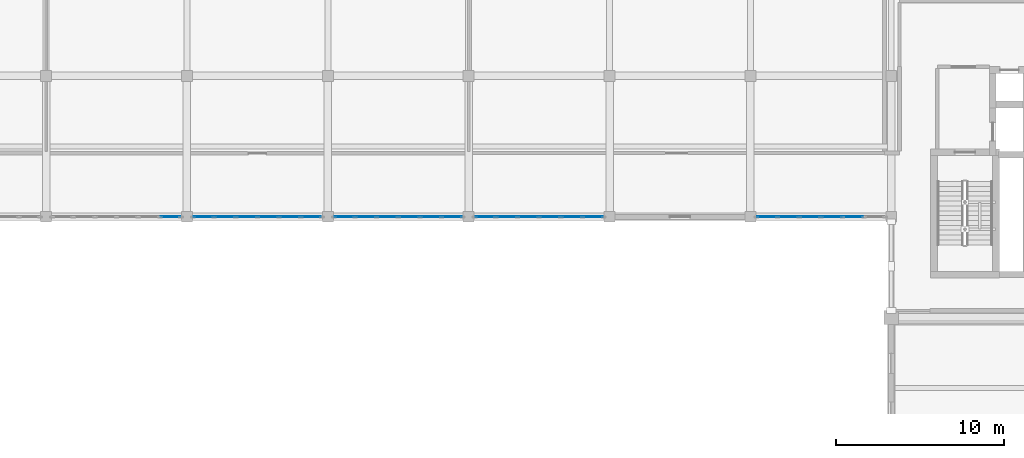
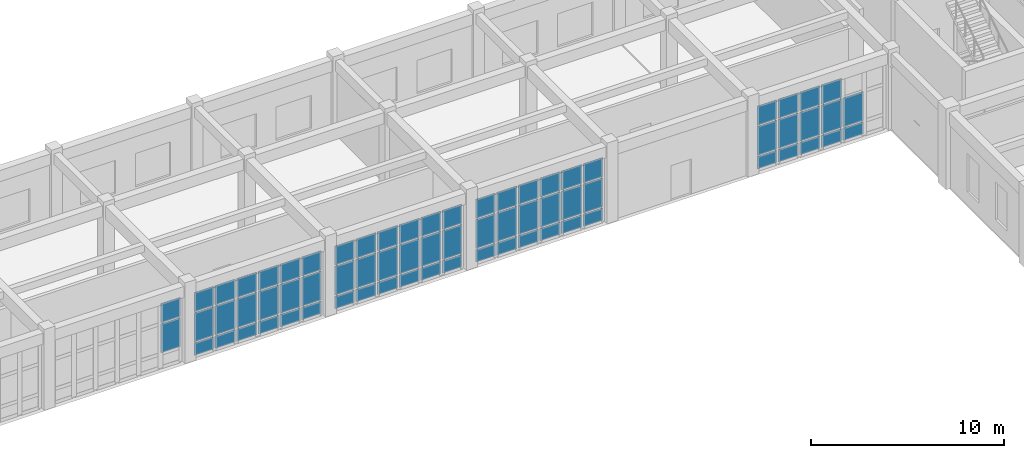
# One storey, part 48 of 80: 70 plates, 5 elements without a shape of their own.
"""IFC4 building model written with IfcOpenShell, lengths in metres."""

from ifc_helpers import new_model, si_unit, direction, frame, origin, origin_2d, place, context, subcontext, project, spatial, rectangle, extrude, material, layer, layer_set, type_object, element, aggregate, save


model = new_model("IFC4")

# Units and contexts
model_context = context("Model", 3, precision=1e-05, world=origin(), true_north=direction((0.0, 1.0)))
body_context = subcontext(model_context, "Body", "Model", "MODEL_VIEW")
ifc_project = project(units=[si_unit("LENGTHUNIT", "METRE"), si_unit("AREAUNIT", "SQUARE_METRE"), si_unit("VOLUMEUNIT", "CUBIC_METRE"), si_unit("PLANEANGLEUNIT", "RADIAN"), si_unit("MASSUNIT", "GRAM", prefix="KILO")], contexts=[model_context])

# Site, building, storey
site_placement = place(None, origin())
site = spatial("IfcSite", under=ifc_project, at=site_placement, CompositionType="ELEMENT")
building_placement = place(site_placement, origin())
building = spatial("IfcBuilding", under=site, at=building_placement, Name="Krzemoval Escarpment Law Courts", CompositionType="ELEMENT")
storey_placement = place(building_placement, origin())
storey = spatial("IfcBuildingStorey", under=building, at=storey_placement, Name="L00", CompositionType="ELEMENT", Elevation=0.0)

# Curtain wall, plates
ifc_material_1 = material(Name="Aluminium 6063-T6", Category="aluminium")
ifc_layer_1 = layer(ifc_material_1, 0.280029296875)
ifc_layer_set_1 = layer_set([ifc_layer_1], Name="Aluminium 6063-T6")
curtain_wall_type = type_object("IfcCurtainWallType", Name="CW-HALL-5100", PredefinedType="USERDEFINED", material=ifc_layer_set_1)
curtain_wall_1_placement = place(storey_placement, origin())
curtain_wall_1 = element("IfcCurtainWall", 1, at=curtain_wall_1_placement, inside=storey, type_object=curtain_wall_type, Name="Unitised Curtain Wall FCW-L00-006", ObjectType="UNITISED_CURTAIN_WALL", PredefinedType="USERDEFINED")
ifc_material_2 = material(Name="Triple Glazing IGU", Category="glass")
ifc_layer_2 = layer(ifc_material_2, 0.053955078125)
ifc_layer_set_2 = layer_set([ifc_layer_2], Name="Triple Glazing IGU")
plate_type = type_object("IfcPlateType", Name="CWP-GLZ-54", PredefinedType="CURTAIN_PANEL", material=ifc_layer_set_2)
plate_1_placement = place(storey_placement, frame((123.737548828125, 99.60009765625, 0.0849609375), z_axis=(0.0, 0.0, 1.0), x_axis=(-1.0, 0.0, 0.0)))
plate_1 = element("IfcPlate", 2, at=plate_1_placement, type_object=plate_type, Name="FCW-L00-006 panel 2.1", PredefinedType="CURTAIN_PANEL", context=body_context, shape_type="SweptSolid", body=[
    extrude(rectangle(XDim=1.206787109375, YDim=0.053955078125, at=origin_2d()), origin(), (0.0, 0.0, 1.0), 0.7724609375),
])
plate_2_placement = place(storey_placement, frame((123.737548828125, 99.60009765625, 0.942626953125), z_axis=(0.0, 0.0, 1.0), x_axis=(-1.0, 0.0, 0.0)))
plate_2 = element("IfcPlate", 3, at=plate_2_placement, type_object=plate_type, Name="FCW-L00-006 panel 2.2", PredefinedType="CURTAIN_PANEL", context=body_context, shape_type="SweptSolid", body=[
    extrude(rectangle(XDim=1.206787109375, YDim=0.053955078125, at=origin_2d()), origin(), (0.0, 0.0, 1.0), 1.81494140625),
])
plate_3_placement = place(storey_placement, frame((122.44580078125, 99.60009765625, 0.0849609375), z_axis=(0.0, 0.0, 1.0), x_axis=(-1.0, 0.0, 0.0)))
plate_3 = element("IfcPlate", 4, at=plate_3_placement, type_object=plate_type, Name="FCW-L00-006 panel 3.1", PredefinedType="CURTAIN_PANEL", context=body_context, shape_type="SweptSolid", body=[
    extrude(rectangle(XDim=1.206787109375, YDim=0.053955078125, at=origin_2d()), origin(), (0.0, 0.0, 1.0), 0.7724609375),
])
plate_4_placement = place(storey_placement, frame((122.44580078125, 99.60009765625, 0.942626953125), z_axis=(0.0, 0.0, 1.0), x_axis=(-1.0, 0.0, 0.0)))
plate_4 = element("IfcPlate", 5, at=plate_4_placement, type_object=plate_type, Name="FCW-L00-006 panel 3.2", PredefinedType="CURTAIN_PANEL", context=body_context, shape_type="SweptSolid", body=[
    extrude(rectangle(XDim=1.206787109375, YDim=0.053955078125, at=origin_2d()), origin(), (0.0, 0.0, 1.0), 1.81494140625),
])
plate_5_placement = place(storey_placement, frame((122.44580078125, 99.60009765625, 2.842529296875), z_axis=(0.0, 0.0, 1.0), x_axis=(-1.0, 0.0, 0.0)))
plate_5 = element("IfcPlate", 6, at=plate_5_placement, type_object=plate_type, Name="FCW-L00-006 panel 3.3", PredefinedType="CURTAIN_PANEL", context=body_context, shape_type="SweptSolid", body=[
    extrude(rectangle(XDim=1.206787109375, YDim=0.053955078125, at=origin_2d()), origin(), (0.0, 0.0, 1.0), 1.1923828125),
])
plate_6_placement = place(storey_placement, frame((121.154052734375, 99.60009765625, 0.0849609375), z_axis=(0.0, 0.0, 1.0), x_axis=(-1.0, 0.0, 0.0)))
plate_6 = element("IfcPlate", 7, at=plate_6_placement, type_object=plate_type, Name="FCW-L00-006 panel 4.1", PredefinedType="CURTAIN_PANEL", context=body_context, shape_type="SweptSolid", body=[
    extrude(rectangle(XDim=1.206787109375, YDim=0.053955078125, at=origin_2d()), origin(), (0.0, 0.0, 1.0), 0.7724609375),
])
plate_7_placement = place(storey_placement, frame((121.154052734375, 99.60009765625, 0.942626953125), z_axis=(0.0, 0.0, 1.0), x_axis=(-1.0, 0.0, 0.0)))
plate_7 = element("IfcPlate", 8, at=plate_7_placement, type_object=plate_type, Name="FCW-L00-006 panel 4.2", PredefinedType="CURTAIN_PANEL", context=body_context, shape_type="SweptSolid", body=[
    extrude(rectangle(XDim=1.206787109375, YDim=0.053955078125, at=origin_2d()), origin(), (0.0, 0.0, 1.0), 1.81494140625),
])
plate_8_placement = place(storey_placement, frame((121.154052734375, 99.60009765625, 2.842529296875), z_axis=(0.0, 0.0, 1.0), x_axis=(-1.0, 0.0, 0.0)))
plate_8 = element("IfcPlate", 9, at=plate_8_placement, type_object=plate_type, Name="FCW-L00-006 panel 4.3", PredefinedType="CURTAIN_PANEL", context=body_context, shape_type="SweptSolid", body=[
    extrude(rectangle(XDim=1.206787109375, YDim=0.053955078125, at=origin_2d()), origin(), (0.0, 0.0, 1.0), 1.1923828125),
])
plate_9_placement = place(storey_placement, frame((119.862548828125, 99.60009765625, 0.0849609375), z_axis=(0.0, 0.0, 1.0), x_axis=(-1.0, 0.0, 0.0)))
plate_9 = element("IfcPlate", 10, at=plate_9_placement, type_object=plate_type, Name="FCW-L00-006 panel 5.1", PredefinedType="CURTAIN_PANEL", context=body_context, shape_type="SweptSolid", body=[
    extrude(rectangle(XDim=1.206787109375, YDim=0.053955078125, at=origin_2d()), origin(), (0.0, 0.0, 1.0), 0.7724609375),
])
plate_10_placement = place(storey_placement, frame((119.862548828125, 99.60009765625, 0.942626953125), z_axis=(0.0, 0.0, 1.0), x_axis=(-1.0, 0.0, 0.0)))
plate_10 = element("IfcPlate", 11, at=plate_10_placement, type_object=plate_type, Name="FCW-L00-006 panel 5.2", PredefinedType="CURTAIN_PANEL", context=body_context, shape_type="SweptSolid", body=[
    extrude(rectangle(XDim=1.206787109375, YDim=0.053955078125, at=origin_2d()), origin(), (0.0, 0.0, 1.0), 1.81494140625),
])
plate_11_placement = place(storey_placement, frame((119.862548828125, 99.60009765625, 2.842529296875), z_axis=(0.0, 0.0, 1.0), x_axis=(-1.0, 0.0, 0.0)))
plate_11 = element("IfcPlate", 12, at=plate_11_placement, type_object=plate_type, Name="FCW-L00-006 panel 5.3", PredefinedType="CURTAIN_PANEL", context=body_context, shape_type="SweptSolid", body=[
    extrude(rectangle(XDim=1.206787109375, YDim=0.053955078125, at=origin_2d()), origin(), (0.0, 0.0, 1.0), 1.1923828125),
])
plate_12_placement = place(storey_placement, frame((118.592041015625, 99.60009765625, 0.0849609375), z_axis=(0.0, 0.0, 1.0), x_axis=(-1.0, 0.0, 0.0)))
plate_12 = element("IfcPlate", 13, at=plate_12_placement, type_object=plate_type, Name="FCW-L00-006 panel 6.1", PredefinedType="CURTAIN_PANEL", context=body_context, shape_type="SweptSolid", body=[
    extrude(rectangle(XDim=1.1640625, YDim=0.053955078125, at=origin_2d()), origin(), (0.0, 0.0, 1.0), 0.7724609375),
])
plate_13_placement = place(storey_placement, frame((118.592041015625, 99.60009765625, 0.942626953125), z_axis=(0.0, 0.0, 1.0), x_axis=(-1.0, 0.0, 0.0)))
plate_13 = element("IfcPlate", 14, at=plate_13_placement, type_object=plate_type, Name="FCW-L00-006 panel 6.2", PredefinedType="CURTAIN_PANEL", context=body_context, shape_type="SweptSolid", body=[
    extrude(rectangle(XDim=1.1640625, YDim=0.053955078125, at=origin_2d()), origin(), (0.0, 0.0, 1.0), 1.81494140625),
])
plate_14_placement = place(storey_placement, frame((118.592041015625, 99.60009765625, 2.842529296875), z_axis=(0.0, 0.0, 1.0), x_axis=(-1.0, 0.0, 0.0)))
plate_14 = element("IfcPlate", 15, at=plate_14_placement, type_object=plate_type, Name="FCW-L00-006 panel 6.3", PredefinedType="CURTAIN_PANEL", context=body_context, shape_type="SweptSolid", body=[
    extrude(rectangle(XDim=1.1640625, YDim=0.053955078125, at=origin_2d()), origin(), (0.0, 0.0, 1.0), 1.1923828125),
])
aggregate(curtain_wall_1, [plate_1, plate_2, plate_3, plate_4, plate_5, plate_6, plate_7, plate_8, plate_9, plate_10, plate_11, plate_12, plate_13, plate_14])

curtain_wall_2_placement = place(storey_placement, origin())
curtain_wall_2 = element("IfcCurtainWall", 16, at=curtain_wall_2_placement, inside=storey, type_object=curtain_wall_type, Name="Unitised Curtain Wall FCW-L00-007", ObjectType="UNITISED_CURTAIN_WALL", PredefinedType="USERDEFINED")
plate_15_placement = place(storey_placement, frame((108.2080078125, 99.60009765625, 0.0849609375), z_axis=(0.0, 0.0, 1.0), x_axis=(-1.0, 0.0, 0.0)))
plate_15 = element("IfcPlate", 17, at=plate_15_placement, type_object=plate_type, Name="FCW-L00-007 panel 1.1", PredefinedType="CURTAIN_PANEL", context=body_context, shape_type="SweptSolid", body=[
    extrude(rectangle(XDim=1.1640625, YDim=0.053955078125, at=origin_2d()), origin(), (0.0, 0.0, 1.0), 0.7724609375),
])
plate_16_placement = place(storey_placement, frame((108.2080078125, 99.60009765625, 0.942626953125), z_axis=(0.0, 0.0, 1.0), x_axis=(-1.0, 0.0, 0.0)))
plate_16 = element("IfcPlate", 18, at=plate_16_placement, type_object=plate_type, Name="FCW-L00-007 panel 1.2", PredefinedType="CURTAIN_PANEL", context=body_context, shape_type="SweptSolid", body=[
    extrude(rectangle(XDim=1.1640625, YDim=0.053955078125, at=origin_2d()), origin(), (0.0, 0.0, 1.0), 1.81494140625),
])
plate_17_placement = place(storey_placement, frame((108.2080078125, 99.60009765625, 2.842529296875), z_axis=(0.0, 0.0, 1.0), x_axis=(-1.0, 0.0, 0.0)))
plate_17 = element("IfcPlate", 19, at=plate_17_placement, type_object=plate_type, Name="FCW-L00-007 panel 1.3", PredefinedType="CURTAIN_PANEL", context=body_context, shape_type="SweptSolid", body=[
    extrude(rectangle(XDim=1.1640625, YDim=0.053955078125, at=origin_2d()), origin(), (0.0, 0.0, 1.0), 1.1923828125),
])
plate_18_placement = place(storey_placement, frame((106.9375, 99.60009765625, 0.0849609375), z_axis=(0.0, 0.0, 1.0), x_axis=(-1.0, 0.0, 0.0)))
plate_18 = element("IfcPlate", 20, at=plate_18_placement, type_object=plate_type, Name="FCW-L00-007 panel 2.1", PredefinedType="CURTAIN_PANEL", context=body_context, shape_type="SweptSolid", body=[
    extrude(rectangle(XDim=1.206787109375, YDim=0.053955078125, at=origin_2d()), origin(), (0.0, 0.0, 1.0), 0.7724609375),
])
plate_19_placement = place(storey_placement, frame((106.9375, 99.60009765625, 0.942626953125), z_axis=(0.0, 0.0, 1.0), x_axis=(-1.0, 0.0, 0.0)))
plate_19 = element("IfcPlate", 21, at=plate_19_placement, type_object=plate_type, Name="FCW-L00-007 panel 2.2", PredefinedType="CURTAIN_PANEL", context=body_context, shape_type="SweptSolid", body=[
    extrude(rectangle(XDim=1.206787109375, YDim=0.053955078125, at=origin_2d()), origin(), (0.0, 0.0, 1.0), 1.81494140625),
])
plate_20_placement = place(storey_placement, frame((106.9375, 99.60009765625, 2.842529296875), z_axis=(0.0, 0.0, 1.0), x_axis=(-1.0, 0.0, 0.0)))
plate_20 = element("IfcPlate", 22, at=plate_20_placement, type_object=plate_type, Name="FCW-L00-007 panel 2.3", PredefinedType="CURTAIN_PANEL", context=body_context, shape_type="SweptSolid", body=[
    extrude(rectangle(XDim=1.206787109375, YDim=0.053955078125, at=origin_2d()), origin(), (0.0, 0.0, 1.0), 1.1923828125),
])
plate_21_placement = place(storey_placement, frame((105.645751953125, 99.60009765625, 0.0849609375), z_axis=(0.0, 0.0, 1.0), x_axis=(-1.0, 0.0, 0.0)))
plate_21 = element("IfcPlate", 23, at=plate_21_placement, type_object=plate_type, Name="FCW-L00-007 panel 3.1", PredefinedType="CURTAIN_PANEL", context=body_context, shape_type="SweptSolid", body=[
    extrude(rectangle(XDim=1.206787109375, YDim=0.053955078125, at=origin_2d()), origin(), (0.0, 0.0, 1.0), 0.7724609375),
])
plate_22_placement = place(storey_placement, frame((105.645751953125, 99.60009765625, 0.942626953125), z_axis=(0.0, 0.0, 1.0), x_axis=(-1.0, 0.0, 0.0)))
plate_22 = element("IfcPlate", 24, at=plate_22_placement, type_object=plate_type, Name="FCW-L00-007 panel 3.2", PredefinedType="CURTAIN_PANEL", context=body_context, shape_type="SweptSolid", body=[
    extrude(rectangle(XDim=1.206787109375, YDim=0.053955078125, at=origin_2d()), origin(), (0.0, 0.0, 1.0), 1.81494140625),
])
plate_23_placement = place(storey_placement, frame((105.645751953125, 99.60009765625, 2.842529296875), z_axis=(0.0, 0.0, 1.0), x_axis=(-1.0, 0.0, 0.0)))
plate_23 = element("IfcPlate", 25, at=plate_23_placement, type_object=plate_type, Name="FCW-L00-007 panel 3.3", PredefinedType="CURTAIN_PANEL", context=body_context, shape_type="SweptSolid", body=[
    extrude(rectangle(XDim=1.206787109375, YDim=0.053955078125, at=origin_2d()), origin(), (0.0, 0.0, 1.0), 1.1923828125),
])
plate_24_placement = place(storey_placement, frame((104.354248046875, 99.60009765625, 0.0849609375), z_axis=(0.0, 0.0, 1.0), x_axis=(-1.0, 0.0, 0.0)))
plate_24 = element("IfcPlate", 26, at=plate_24_placement, type_object=plate_type, Name="FCW-L00-007 panel 4.1", PredefinedType="CURTAIN_PANEL", context=body_context, shape_type="SweptSolid", body=[
    extrude(rectangle(XDim=1.206787109375, YDim=0.053955078125, at=origin_2d()), origin(), (0.0, 0.0, 1.0), 0.7724609375),
])
plate_25_placement = place(storey_placement, frame((104.354248046875, 99.60009765625, 0.942626953125), z_axis=(0.0, 0.0, 1.0), x_axis=(-1.0, 0.0, 0.0)))
plate_25 = element("IfcPlate", 27, at=plate_25_placement, type_object=plate_type, Name="FCW-L00-007 panel 4.2", PredefinedType="CURTAIN_PANEL", context=body_context, shape_type="SweptSolid", body=[
    extrude(rectangle(XDim=1.206787109375, YDim=0.053955078125, at=origin_2d()), origin(), (0.0, 0.0, 1.0), 1.81494140625),
])
plate_26_placement = place(storey_placement, frame((104.354248046875, 99.60009765625, 2.842529296875), z_axis=(0.0, 0.0, 1.0), x_axis=(-1.0, 0.0, 0.0)))
plate_26 = element("IfcPlate", 28, at=plate_26_placement, type_object=plate_type, Name="FCW-L00-007 panel 4.3", PredefinedType="CURTAIN_PANEL", context=body_context, shape_type="SweptSolid", body=[
    extrude(rectangle(XDim=1.206787109375, YDim=0.053955078125, at=origin_2d()), origin(), (0.0, 0.0, 1.0), 1.1923828125),
])
plate_27_placement = place(storey_placement, frame((103.0625, 99.60009765625, 0.0849609375), z_axis=(0.0, 0.0, 1.0), x_axis=(-1.0, 0.0, 0.0)))
plate_27 = element("IfcPlate", 29, at=plate_27_placement, type_object=plate_type, Name="FCW-L00-007 panel 5.1", PredefinedType="CURTAIN_PANEL", context=body_context, shape_type="SweptSolid", body=[
    extrude(rectangle(XDim=1.206787109375, YDim=0.053955078125, at=origin_2d()), origin(), (0.0, 0.0, 1.0), 0.7724609375),
])
plate_28_placement = place(storey_placement, frame((103.0625, 99.60009765625, 0.942626953125), z_axis=(0.0, 0.0, 1.0), x_axis=(-1.0, 0.0, 0.0)))
plate_28 = element("IfcPlate", 30, at=plate_28_placement, type_object=plate_type, Name="FCW-L00-007 panel 5.2", PredefinedType="CURTAIN_PANEL", context=body_context, shape_type="SweptSolid", body=[
    extrude(rectangle(XDim=1.206787109375, YDim=0.053955078125, at=origin_2d()), origin(), (0.0, 0.0, 1.0), 1.81494140625),
])
plate_29_placement = place(storey_placement, frame((103.0625, 99.60009765625, 2.842529296875), z_axis=(0.0, 0.0, 1.0), x_axis=(-1.0, 0.0, 0.0)))
plate_29 = element("IfcPlate", 31, at=plate_29_placement, type_object=plate_type, Name="FCW-L00-007 panel 5.3", PredefinedType="CURTAIN_PANEL", context=body_context, shape_type="SweptSolid", body=[
    extrude(rectangle(XDim=1.206787109375, YDim=0.053955078125, at=origin_2d()), origin(), (0.0, 0.0, 1.0), 1.1923828125),
])
plate_30_placement = place(storey_placement, frame((101.7919921875, 99.60009765625, 0.0849609375), z_axis=(0.0, 0.0, 1.0), x_axis=(-1.0, 0.0, 0.0)))
plate_30 = element("IfcPlate", 32, at=plate_30_placement, type_object=plate_type, Name="FCW-L00-007 panel 6.1", PredefinedType="CURTAIN_PANEL", context=body_context, shape_type="SweptSolid", body=[
    extrude(rectangle(XDim=1.1640625, YDim=0.053955078125, at=origin_2d()), origin(), (0.0, 0.0, 1.0), 0.7724609375),
])
plate_31_placement = place(storey_placement, frame((101.7919921875, 99.60009765625, 0.942626953125), z_axis=(0.0, 0.0, 1.0), x_axis=(-1.0, 0.0, 0.0)))
plate_31 = element("IfcPlate", 33, at=plate_31_placement, type_object=plate_type, Name="FCW-L00-007 panel 6.2", PredefinedType="CURTAIN_PANEL", context=body_context, shape_type="SweptSolid", body=[
    extrude(rectangle(XDim=1.1640625, YDim=0.053955078125, at=origin_2d()), origin(), (0.0, 0.0, 1.0), 1.81494140625),
])
plate_32_placement = place(storey_placement, frame((101.7919921875, 99.60009765625, 2.842529296875), z_axis=(0.0, 0.0, 1.0), x_axis=(-1.0, 0.0, 0.0)))
plate_32 = element("IfcPlate", 34, at=plate_32_placement, type_object=plate_type, Name="FCW-L00-007 panel 6.3", PredefinedType="CURTAIN_PANEL", context=body_context, shape_type="SweptSolid", body=[
    extrude(rectangle(XDim=1.1640625, YDim=0.053955078125, at=origin_2d()), origin(), (0.0, 0.0, 1.0), 1.1923828125),
])
aggregate(curtain_wall_2, [plate_15, plate_16, plate_17, plate_18, plate_19, plate_20, plate_21, plate_22, plate_23, plate_24, plate_25, plate_26, plate_27, plate_28, plate_29, plate_30, plate_31, plate_32])

curtain_wall_3_placement = place(storey_placement, origin())
curtain_wall_3 = element("IfcCurtainWall", 35, at=curtain_wall_3_placement, inside=storey, type_object=curtain_wall_type, Name="Unitised Curtain Wall FCW-L00-008", ObjectType="UNITISED_CURTAIN_WALL", PredefinedType="USERDEFINED")
plate_33_placement = place(storey_placement, frame((99.807861328125, 99.60009765625, 0.0849609375), z_axis=(0.0, 0.0, 1.0), x_axis=(-1.0, 0.0, 0.0)))
plate_33 = element("IfcPlate", 36, at=plate_33_placement, type_object=plate_type, Name="FCW-L00-008 panel 1.1", PredefinedType="CURTAIN_PANEL", context=body_context, shape_type="SweptSolid", body=[
    extrude(rectangle(XDim=1.1640625, YDim=0.053955078125, at=origin_2d()), origin(), (0.0, 0.0, 1.0), 0.7724609375),
])
plate_34_placement = place(storey_placement, frame((99.807861328125, 99.60009765625, 0.942626953125), z_axis=(0.0, 0.0, 1.0), x_axis=(-1.0, 0.0, 0.0)))
plate_34 = element("IfcPlate", 37, at=plate_34_placement, type_object=plate_type, Name="FCW-L00-008 panel 1.2", PredefinedType="CURTAIN_PANEL", context=body_context, shape_type="SweptSolid", body=[
    extrude(rectangle(XDim=1.1640625, YDim=0.053955078125, at=origin_2d()), origin(), (0.0, 0.0, 1.0), 1.81494140625),
])
plate_35_placement = place(storey_placement, frame((99.807861328125, 99.60009765625, 2.842529296875), z_axis=(0.0, 0.0, 1.0), x_axis=(-1.0, 0.0, 0.0)))
plate_35 = element("IfcPlate", 38, at=plate_35_placement, type_object=plate_type, Name="FCW-L00-008 panel 1.3", PredefinedType="CURTAIN_PANEL", context=body_context, shape_type="SweptSolid", body=[
    extrude(rectangle(XDim=1.1640625, YDim=0.053955078125, at=origin_2d()), origin(), (0.0, 0.0, 1.0), 1.1923828125),
])
plate_36_placement = place(storey_placement, frame((98.53759765625, 99.60009765625, 0.0849609375), z_axis=(0.0, 0.0, 1.0), x_axis=(-1.0, 0.0, 0.0)))
plate_36 = element("IfcPlate", 39, at=plate_36_placement, type_object=plate_type, Name="FCW-L00-008 panel 2.1", PredefinedType="CURTAIN_PANEL", context=body_context, shape_type="SweptSolid", body=[
    extrude(rectangle(XDim=1.206787109375, YDim=0.053955078125, at=origin_2d()), origin(), (0.0, 0.0, 1.0), 0.7724609375),
])
plate_37_placement = place(storey_placement, frame((98.53759765625, 99.60009765625, 0.942626953125), z_axis=(0.0, 0.0, 1.0), x_axis=(-1.0, 0.0, 0.0)))
plate_37 = element("IfcPlate", 40, at=plate_37_placement, type_object=plate_type, Name="FCW-L00-008 panel 2.2", PredefinedType="CURTAIN_PANEL", context=body_context, shape_type="SweptSolid", body=[
    extrude(rectangle(XDim=1.206787109375, YDim=0.053955078125, at=origin_2d()), origin(), (0.0, 0.0, 1.0), 1.81494140625),
])
plate_38_placement = place(storey_placement, frame((98.53759765625, 99.60009765625, 2.842529296875), z_axis=(0.0, 0.0, 1.0), x_axis=(-1.0, 0.0, 0.0)))
plate_38 = element("IfcPlate", 41, at=plate_38_placement, type_object=plate_type, Name="FCW-L00-008 panel 2.3", PredefinedType="CURTAIN_PANEL", context=body_context, shape_type="SweptSolid", body=[
    extrude(rectangle(XDim=1.206787109375, YDim=0.053955078125, at=origin_2d()), origin(), (0.0, 0.0, 1.0), 1.1923828125),
])
plate_39_placement = place(storey_placement, frame((97.245849609375, 99.60009765625, 0.0849609375), z_axis=(0.0, 0.0, 1.0), x_axis=(-1.0, 0.0, 0.0)))
plate_39 = element("IfcPlate", 42, at=plate_39_placement, type_object=plate_type, Name="FCW-L00-008 panel 3.1", PredefinedType="CURTAIN_PANEL", context=body_context, shape_type="SweptSolid", body=[
    extrude(rectangle(XDim=1.206787109375, YDim=0.053955078125, at=origin_2d()), origin(), (0.0, 0.0, 1.0), 0.7724609375),
])
plate_40_placement = place(storey_placement, frame((97.245849609375, 99.60009765625, 0.942626953125), z_axis=(0.0, 0.0, 1.0), x_axis=(-1.0, 0.0, 0.0)))
plate_40 = element("IfcPlate", 43, at=plate_40_placement, type_object=plate_type, Name="FCW-L00-008 panel 3.2", PredefinedType="CURTAIN_PANEL", context=body_context, shape_type="SweptSolid", body=[
    extrude(rectangle(XDim=1.206787109375, YDim=0.053955078125, at=origin_2d()), origin(), (0.0, 0.0, 1.0), 1.81494140625),
])
plate_41_placement = place(storey_placement, frame((97.245849609375, 99.60009765625, 2.842529296875), z_axis=(0.0, 0.0, 1.0), x_axis=(-1.0, 0.0, 0.0)))
plate_41 = element("IfcPlate", 44, at=plate_41_placement, type_object=plate_type, Name="FCW-L00-008 panel 3.3", PredefinedType="CURTAIN_PANEL", context=body_context, shape_type="SweptSolid", body=[
    extrude(rectangle(XDim=1.206787109375, YDim=0.053955078125, at=origin_2d()), origin(), (0.0, 0.0, 1.0), 1.1923828125),
])
plate_42_placement = place(storey_placement, frame((95.9541015625, 99.60009765625, 0.0849609375), z_axis=(0.0, 0.0, 1.0), x_axis=(-1.0, 0.0, 0.0)))
plate_42 = element("IfcPlate", 45, at=plate_42_placement, type_object=plate_type, Name="FCW-L00-008 panel 4.1", PredefinedType="CURTAIN_PANEL", context=body_context, shape_type="SweptSolid", body=[
    extrude(rectangle(XDim=1.206787109375, YDim=0.053955078125, at=origin_2d()), origin(), (0.0, 0.0, 1.0), 0.7724609375),
])
plate_43_placement = place(storey_placement, frame((95.9541015625, 99.60009765625, 0.942626953125), z_axis=(0.0, 0.0, 1.0), x_axis=(-1.0, 0.0, 0.0)))
plate_43 = element("IfcPlate", 46, at=plate_43_placement, type_object=plate_type, Name="FCW-L00-008 panel 4.2", PredefinedType="CURTAIN_PANEL", context=body_context, shape_type="SweptSolid", body=[
    extrude(rectangle(XDim=1.206787109375, YDim=0.053955078125, at=origin_2d()), origin(), (0.0, 0.0, 1.0), 1.81494140625),
])
plate_44_placement = place(storey_placement, frame((95.9541015625, 99.60009765625, 2.842529296875), z_axis=(0.0, 0.0, 1.0), x_axis=(-1.0, 0.0, 0.0)))
plate_44 = element("IfcPlate", 47, at=plate_44_placement, type_object=plate_type, Name="FCW-L00-008 panel 4.3", PredefinedType="CURTAIN_PANEL", context=body_context, shape_type="SweptSolid", body=[
    extrude(rectangle(XDim=1.206787109375, YDim=0.053955078125, at=origin_2d()), origin(), (0.0, 0.0, 1.0), 1.1923828125),
])
plate_45_placement = place(storey_placement, frame((94.66259765625, 99.60009765625, 0.0849609375), z_axis=(0.0, 0.0, 1.0), x_axis=(-1.0, 0.0, 0.0)))
plate_45 = element("IfcPlate", 48, at=plate_45_placement, type_object=plate_type, Name="FCW-L00-008 panel 5.1", PredefinedType="CURTAIN_PANEL", context=body_context, shape_type="SweptSolid", body=[
    extrude(rectangle(XDim=1.206787109375, YDim=0.053955078125, at=origin_2d()), origin(), (0.0, 0.0, 1.0), 0.7724609375),
])
plate_46_placement = place(storey_placement, frame((94.66259765625, 99.60009765625, 0.942626953125), z_axis=(0.0, 0.0, 1.0), x_axis=(-1.0, 0.0, 0.0)))
plate_46 = element("IfcPlate", 49, at=plate_46_placement, type_object=plate_type, Name="FCW-L00-008 panel 5.2", PredefinedType="CURTAIN_PANEL", context=body_context, shape_type="SweptSolid", body=[
    extrude(rectangle(XDim=1.206787109375, YDim=0.053955078125, at=origin_2d()), origin(), (0.0, 0.0, 1.0), 1.81494140625),
])
plate_47_placement = place(storey_placement, frame((94.66259765625, 99.60009765625, 2.842529296875), z_axis=(0.0, 0.0, 1.0), x_axis=(-1.0, 0.0, 0.0)))
plate_47 = element("IfcPlate", 50, at=plate_47_placement, type_object=plate_type, Name="FCW-L00-008 panel 5.3", PredefinedType="CURTAIN_PANEL", context=body_context, shape_type="SweptSolid", body=[
    extrude(rectangle(XDim=1.206787109375, YDim=0.053955078125, at=origin_2d()), origin(), (0.0, 0.0, 1.0), 1.1923828125),
])
plate_48_placement = place(storey_placement, frame((93.39208984375, 99.60009765625, 0.0849609375), z_axis=(0.0, 0.0, 1.0), x_axis=(-1.0, 0.0, 0.0)))
plate_48 = element("IfcPlate", 51, at=plate_48_placement, type_object=plate_type, Name="FCW-L00-008 panel 6.1", PredefinedType="CURTAIN_PANEL", context=body_context, shape_type="SweptSolid", body=[
    extrude(rectangle(XDim=1.1640625, YDim=0.053955078125, at=origin_2d()), origin(), (0.0, 0.0, 1.0), 0.7724609375),
])
plate_49_placement = place(storey_placement, frame((93.39208984375, 99.60009765625, 0.942626953125), z_axis=(0.0, 0.0, 1.0), x_axis=(-1.0, 0.0, 0.0)))
plate_49 = element("IfcPlate", 52, at=plate_49_placement, type_object=plate_type, Name="FCW-L00-008 panel 6.2", PredefinedType="CURTAIN_PANEL", context=body_context, shape_type="SweptSolid", body=[
    extrude(rectangle(XDim=1.1640625, YDim=0.053955078125, at=origin_2d()), origin(), (0.0, 0.0, 1.0), 1.81494140625),
])
plate_50_placement = place(storey_placement, frame((93.39208984375, 99.60009765625, 2.842529296875), z_axis=(0.0, 0.0, 1.0), x_axis=(-1.0, 0.0, 0.0)))
plate_50 = element("IfcPlate", 53, at=plate_50_placement, type_object=plate_type, Name="FCW-L00-008 panel 6.3", PredefinedType="CURTAIN_PANEL", context=body_context, shape_type="SweptSolid", body=[
    extrude(rectangle(XDim=1.1640625, YDim=0.053955078125, at=origin_2d()), origin(), (0.0, 0.0, 1.0), 1.1923828125),
])
aggregate(curtain_wall_3, [plate_33, plate_34, plate_35, plate_36, plate_37, plate_38, plate_39, plate_40, plate_41, plate_42, plate_43, plate_44, plate_45, plate_46, plate_47, plate_48, plate_49, plate_50])

curtain_wall_4_placement = place(storey_placement, origin())
curtain_wall_4 = element("IfcCurtainWall", 54, at=curtain_wall_4_placement, inside=storey, type_object=curtain_wall_type, Name="Unitised Curtain Wall FCW-L00-009", ObjectType="UNITISED_CURTAIN_WALL", PredefinedType="USERDEFINED")
plate_51_placement = place(storey_placement, frame((91.407958984375, 99.60009765625, 0.0849609375), z_axis=(0.0, 0.0, 1.0), x_axis=(-1.0, 0.0, 0.0)))
plate_51 = element("IfcPlate", 55, at=plate_51_placement, type_object=plate_type, Name="FCW-L00-009 panel 1.1", PredefinedType="CURTAIN_PANEL", context=body_context, shape_type="SweptSolid", body=[
    extrude(rectangle(XDim=1.1640625, YDim=0.053955078125, at=origin_2d()), origin(), (0.0, 0.0, 1.0), 0.7724609375),
])
plate_52_placement = place(storey_placement, frame((91.407958984375, 99.60009765625, 0.942626953125), z_axis=(0.0, 0.0, 1.0), x_axis=(-1.0, 0.0, 0.0)))
plate_52 = element("IfcPlate", 56, at=plate_52_placement, type_object=plate_type, Name="FCW-L00-009 panel 1.2", PredefinedType="CURTAIN_PANEL", context=body_context, shape_type="SweptSolid", body=[
    extrude(rectangle(XDim=1.1640625, YDim=0.053955078125, at=origin_2d()), origin(), (0.0, 0.0, 1.0), 1.81494140625),
])
plate_53_placement = place(storey_placement, frame((91.407958984375, 99.60009765625, 2.842529296875), z_axis=(0.0, 0.0, 1.0), x_axis=(-1.0, 0.0, 0.0)))
plate_53 = element("IfcPlate", 57, at=plate_53_placement, type_object=plate_type, Name="FCW-L00-009 panel 1.3", PredefinedType="CURTAIN_PANEL", context=body_context, shape_type="SweptSolid", body=[
    extrude(rectangle(XDim=1.1640625, YDim=0.053955078125, at=origin_2d()), origin(), (0.0, 0.0, 1.0), 1.1923828125),
])
plate_54_placement = place(storey_placement, frame((90.137451171875, 99.60009765625, 0.0849609375), z_axis=(0.0, 0.0, 1.0), x_axis=(-1.0, 0.0, 0.0)))
plate_54 = element("IfcPlate", 58, at=plate_54_placement, type_object=plate_type, Name="FCW-L00-009 panel 2.1", PredefinedType="CURTAIN_PANEL", context=body_context, shape_type="SweptSolid", body=[
    extrude(rectangle(XDim=1.206787109375, YDim=0.053955078125, at=origin_2d()), origin(), (0.0, 0.0, 1.0), 0.7724609375),
])
plate_55_placement = place(storey_placement, frame((90.137451171875, 99.60009765625, 0.942626953125), z_axis=(0.0, 0.0, 1.0), x_axis=(-1.0, 0.0, 0.0)))
plate_55 = element("IfcPlate", 59, at=plate_55_placement, type_object=plate_type, Name="FCW-L00-009 panel 2.2", PredefinedType="CURTAIN_PANEL", context=body_context, shape_type="SweptSolid", body=[
    extrude(rectangle(XDim=1.206787109375, YDim=0.053955078125, at=origin_2d()), origin(), (0.0, 0.0, 1.0), 1.81494140625),
])
plate_56_placement = place(storey_placement, frame((90.137451171875, 99.60009765625, 2.842529296875), z_axis=(0.0, 0.0, 1.0), x_axis=(-1.0, 0.0, 0.0)))
plate_56 = element("IfcPlate", 60, at=plate_56_placement, type_object=plate_type, Name="FCW-L00-009 panel 2.3", PredefinedType="CURTAIN_PANEL", context=body_context, shape_type="SweptSolid", body=[
    extrude(rectangle(XDim=1.206787109375, YDim=0.053955078125, at=origin_2d()), origin(), (0.0, 0.0, 1.0), 1.1923828125),
])
plate_57_placement = place(storey_placement, frame((88.845947265625, 99.60009765625, 0.0849609375), z_axis=(0.0, 0.0, 1.0), x_axis=(-1.0, 0.0, 0.0)))
plate_57 = element("IfcPlate", 61, at=plate_57_placement, type_object=plate_type, Name="FCW-L00-009 panel 3.1", PredefinedType="CURTAIN_PANEL", context=body_context, shape_type="SweptSolid", body=[
    extrude(rectangle(XDim=1.206787109375, YDim=0.053955078125, at=origin_2d()), origin(), (0.0, 0.0, 1.0), 0.7724609375),
])
plate_58_placement = place(storey_placement, frame((88.845947265625, 99.60009765625, 0.942626953125), z_axis=(0.0, 0.0, 1.0), x_axis=(-1.0, 0.0, 0.0)))
plate_58 = element("IfcPlate", 62, at=plate_58_placement, type_object=plate_type, Name="FCW-L00-009 panel 3.2", PredefinedType="CURTAIN_PANEL", context=body_context, shape_type="SweptSolid", body=[
    extrude(rectangle(XDim=1.206787109375, YDim=0.053955078125, at=origin_2d()), origin(), (0.0, 0.0, 1.0), 1.81494140625),
])
plate_59_placement = place(storey_placement, frame((88.845947265625, 99.60009765625, 2.842529296875), z_axis=(0.0, 0.0, 1.0), x_axis=(-1.0, 0.0, 0.0)))
plate_59 = element("IfcPlate", 63, at=plate_59_placement, type_object=plate_type, Name="FCW-L00-009 panel 3.3", PredefinedType="CURTAIN_PANEL", context=body_context, shape_type="SweptSolid", body=[
    extrude(rectangle(XDim=1.206787109375, YDim=0.053955078125, at=origin_2d()), origin(), (0.0, 0.0, 1.0), 1.1923828125),
])
plate_60_placement = place(storey_placement, frame((87.55419921875, 99.60009765625, 0.0849609375), z_axis=(0.0, 0.0, 1.0), x_axis=(-1.0, 0.0, 0.0)))
plate_60 = element("IfcPlate", 64, at=plate_60_placement, type_object=plate_type, Name="FCW-L00-009 panel 4.1", PredefinedType="CURTAIN_PANEL", context=body_context, shape_type="SweptSolid", body=[
    extrude(rectangle(XDim=1.206787109375, YDim=0.053955078125, at=origin_2d()), origin(), (0.0, 0.0, 1.0), 0.7724609375),
])
plate_61_placement = place(storey_placement, frame((87.55419921875, 99.60009765625, 0.942626953125), z_axis=(0.0, 0.0, 1.0), x_axis=(-1.0, 0.0, 0.0)))
plate_61 = element("IfcPlate", 65, at=plate_61_placement, type_object=plate_type, Name="FCW-L00-009 panel 4.2", PredefinedType="CURTAIN_PANEL", context=body_context, shape_type="SweptSolid", body=[
    extrude(rectangle(XDim=1.206787109375, YDim=0.053955078125, at=origin_2d()), origin(), (0.0, 0.0, 1.0), 1.81494140625),
])
plate_62_placement = place(storey_placement, frame((87.55419921875, 99.60009765625, 2.842529296875), z_axis=(0.0, 0.0, 1.0), x_axis=(-1.0, 0.0, 0.0)))
plate_62 = element("IfcPlate", 66, at=plate_62_placement, type_object=plate_type, Name="FCW-L00-009 panel 4.3", PredefinedType="CURTAIN_PANEL", context=body_context, shape_type="SweptSolid", body=[
    extrude(rectangle(XDim=1.206787109375, YDim=0.053955078125, at=origin_2d()), origin(), (0.0, 0.0, 1.0), 1.1923828125),
])
plate_63_placement = place(storey_placement, frame((86.262451171875, 99.60009765625, 0.0849609375), z_axis=(0.0, 0.0, 1.0), x_axis=(-1.0, 0.0, 0.0)))
plate_63 = element("IfcPlate", 67, at=plate_63_placement, type_object=plate_type, Name="FCW-L00-009 panel 5.1", PredefinedType="CURTAIN_PANEL", context=body_context, shape_type="SweptSolid", body=[
    extrude(rectangle(XDim=1.206787109375, YDim=0.053955078125, at=origin_2d()), origin(), (0.0, 0.0, 1.0), 0.7724609375),
])
plate_64_placement = place(storey_placement, frame((86.262451171875, 99.60009765625, 0.942626953125), z_axis=(0.0, 0.0, 1.0), x_axis=(-1.0, 0.0, 0.0)))
plate_64 = element("IfcPlate", 68, at=plate_64_placement, type_object=plate_type, Name="FCW-L00-009 panel 5.2", PredefinedType="CURTAIN_PANEL", context=body_context, shape_type="SweptSolid", body=[
    extrude(rectangle(XDim=1.206787109375, YDim=0.053955078125, at=origin_2d()), origin(), (0.0, 0.0, 1.0), 1.81494140625),
])
plate_65_placement = place(storey_placement, frame((86.262451171875, 99.60009765625, 2.842529296875), z_axis=(0.0, 0.0, 1.0), x_axis=(-1.0, 0.0, 0.0)))
plate_65 = element("IfcPlate", 69, at=plate_65_placement, type_object=plate_type, Name="FCW-L00-009 panel 5.3", PredefinedType="CURTAIN_PANEL", context=body_context, shape_type="SweptSolid", body=[
    extrude(rectangle(XDim=1.206787109375, YDim=0.053955078125, at=origin_2d()), origin(), (0.0, 0.0, 1.0), 1.1923828125),
])
plate_66_placement = place(storey_placement, frame((84.9921875, 99.60009765625, 0.0849609375), z_axis=(0.0, 0.0, 1.0), x_axis=(-1.0, 0.0, 0.0)))
plate_66 = element("IfcPlate", 70, at=plate_66_placement, type_object=plate_type, Name="FCW-L00-009 panel 6.1", PredefinedType="CURTAIN_PANEL", context=body_context, shape_type="SweptSolid", body=[
    extrude(rectangle(XDim=1.1640625, YDim=0.053955078125, at=origin_2d()), origin(), (0.0, 0.0, 1.0), 0.7724609375),
])
plate_67_placement = place(storey_placement, frame((84.9921875, 99.60009765625, 0.942626953125), z_axis=(0.0, 0.0, 1.0), x_axis=(-1.0, 0.0, 0.0)))
plate_67 = element("IfcPlate", 71, at=plate_67_placement, type_object=plate_type, Name="FCW-L00-009 panel 6.2", PredefinedType="CURTAIN_PANEL", context=body_context, shape_type="SweptSolid", body=[
    extrude(rectangle(XDim=1.1640625, YDim=0.053955078125, at=origin_2d()), origin(), (0.0, 0.0, 1.0), 1.81494140625),
])
plate_68_placement = place(storey_placement, frame((84.9921875, 99.60009765625, 2.842529296875), z_axis=(0.0, 0.0, 1.0), x_axis=(-1.0, 0.0, 0.0)))
plate_68 = element("IfcPlate", 72, at=plate_68_placement, type_object=plate_type, Name="FCW-L00-009 panel 6.3", PredefinedType="CURTAIN_PANEL", context=body_context, shape_type="SweptSolid", body=[
    extrude(rectangle(XDim=1.1640625, YDim=0.053955078125, at=origin_2d()), origin(), (0.0, 0.0, 1.0), 1.1923828125),
])
aggregate(curtain_wall_4, [plate_51, plate_52, plate_53, plate_54, plate_55, plate_56, plate_57, plate_58, plate_59, plate_60, plate_61, plate_62, plate_63, plate_64, plate_65, plate_66, plate_67, plate_68])

curtain_wall_5_placement = place(storey_placement, origin())
curtain_wall_5 = element("IfcCurtainWall", 73, at=curtain_wall_5_placement, inside=storey, type_object=curtain_wall_type, Name="Unitised Curtain Wall FCW-L00-010", ObjectType="UNITISED_CURTAIN_WALL", PredefinedType="USERDEFINED")
plate_69_placement = place(storey_placement, frame((83.0078125, 99.60009765625, 0.942626953125), z_axis=(0.0, 0.0, 1.0), x_axis=(-1.0, 0.0, 0.0)))
plate_69 = element("IfcPlate", 74, at=plate_69_placement, type_object=plate_type, Name="FCW-L00-010 panel 1.2", PredefinedType="CURTAIN_PANEL", context=body_context, shape_type="SweptSolid", body=[
    extrude(rectangle(XDim=1.1640625, YDim=0.053955078125, at=origin_2d()), origin(), (0.0, 0.0, 1.0), 1.81494140625),
])
plate_70_placement = place(storey_placement, frame((83.0078125, 99.60009765625, 2.842529296875), z_axis=(0.0, 0.0, 1.0), x_axis=(-1.0, 0.0, 0.0)))
plate_70 = element("IfcPlate", 75, at=plate_70_placement, type_object=plate_type, Name="FCW-L00-010 panel 1.3", PredefinedType="CURTAIN_PANEL", context=body_context, shape_type="SweptSolid", body=[
    extrude(rectangle(XDim=1.1640625, YDim=0.053955078125, at=origin_2d()), origin(), (0.0, 0.0, 1.0), 1.1923828125),
])
aggregate(curtain_wall_5, [plate_69, plate_70])

save(model, "model.ifc")
